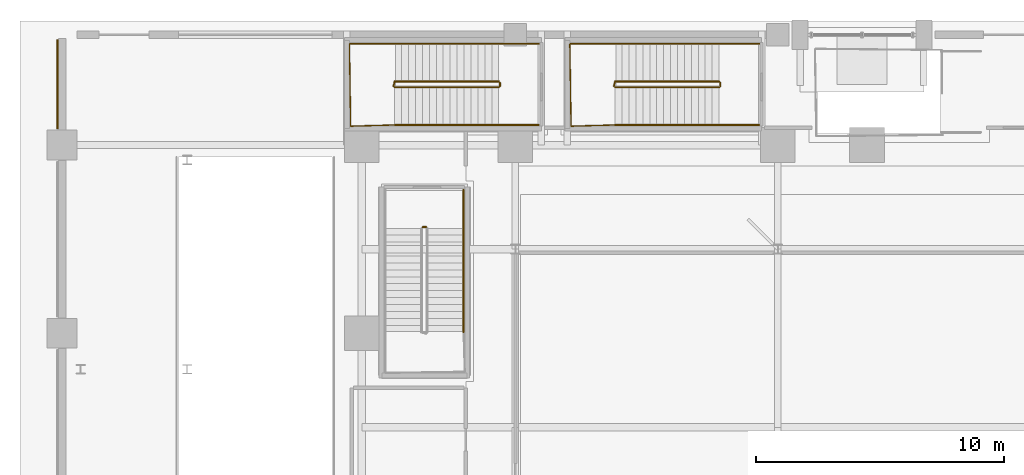
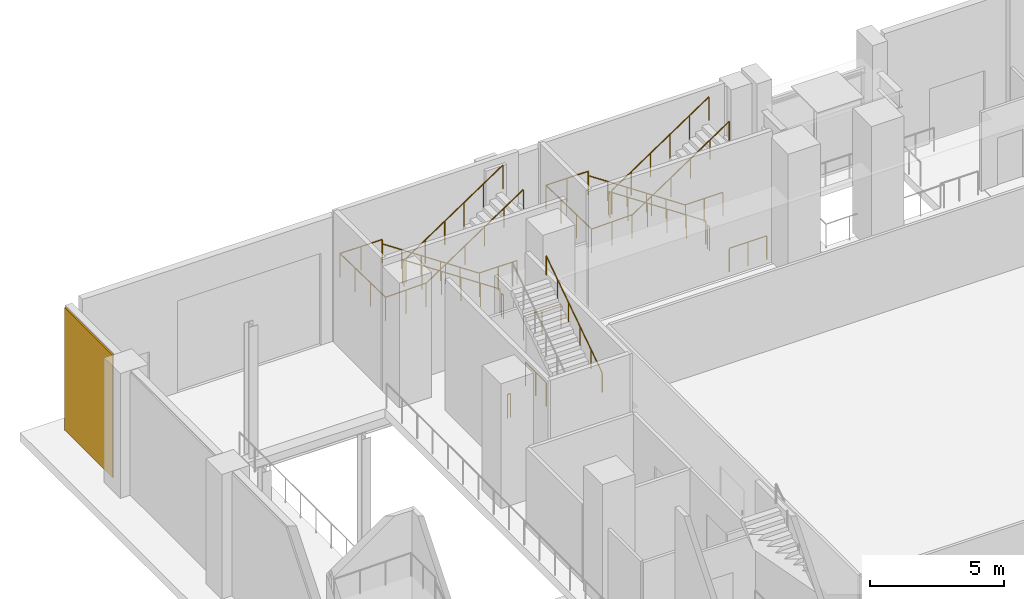
# One storey, part 31 of 36: 19 railings, 1 covering.
"""IFC4 building model written with IfcOpenShell, lengths in metres."""

from ifc_helpers import new_model, si_unit, direction, frame, origin, origin_2d, place, context, subcontext, project, spatial, rectangle, circle, extrude, material, layer, layer_set, type_object, element, save


model = new_model("IFC4")

# Units and contexts
model_context = context("Model", 3, precision=1e-05, world=origin(), true_north=direction((0.0, 1.0)))
body_context = subcontext(model_context, "Body", "Model", "MODEL_VIEW")
ifc_project = project(units=[si_unit("LENGTHUNIT", "METRE"), si_unit("AREAUNIT", "SQUARE_METRE"), si_unit("VOLUMEUNIT", "CUBIC_METRE"), si_unit("PLANEANGLEUNIT", "RADIAN"), si_unit("MASSUNIT", "GRAM", prefix="KILO")], contexts=[model_context])

# Site, building, storey
site_placement = place(None, origin())
site = spatial("IfcSite", under=ifc_project, at=site_placement, CompositionType="ELEMENT")
building_placement = place(site_placement, origin())
building = spatial("IfcBuilding", under=site, at=building_placement, Name="Ndaravel Arena Tower", CompositionType="ELEMENT")
storey_placement = place(building_placement, origin())
storey = spatial("IfcBuildingStorey", under=building, at=storey_placement, Name="L00", CompositionType="ELEMENT", Elevation=0.0)

# Covering
ifc_material_1 = material(Name="Masonry", Category="masonry")
ifc_layer_1 = layer(ifc_material_1, 0.06005859375)
ifc_layer_set_1 = layer_set([ifc_layer_1], Name="Masonry")
covering_type = type_object("IfcCoveringType", Name="COV-STONE-CLAD", PredefinedType="CLADDING", material=ifc_layer_set_1)
covering_placement = place(storey_placement, frame((1.52001953125, 45.449951171875, 0.050048828125), z_axis=(0.0, 0.0, 1.0), x_axis=(1.0, 0.0, 0.0)))
element("IfcCovering", 1, at=covering_placement, inside=storey, type_object=covering_type, Name="L00 Honed Mazeras Ashlar Panel W7", PredefinedType="CLADDING", context=body_context, shape_type="SweptSolid", body=[
    extrude(rectangle(XDim=0.06005859375, YDim=3.60009765625, at=origin_2d()), origin(), (0.0, 0.0, 1.0), 5.60009765625),
])

# Railings
ifc_material_2 = material(Name="Steel S355", Category="steel")
ifc_layer_2 = layer(ifc_material_2, 0.06005859375)
ifc_layer_set_2 = layer_set([ifc_layer_2], Name="Steel S355")
railing_type_1 = type_object("IfcRailingType", Name="RAIL-STAIR-GD1100", PredefinedType="GUARDRAIL", material=ifc_layer_set_2)
railing_1_placement = place(storey_placement, frame((19.330078125, 45.570068359375, 0.1875)))
element("IfcRailing", 2, at=railing_1_placement, inside=storey, type_object=railing_type_1, Name="L00 ST-A08 stair guard 1", PredefinedType="GUARDRAIL", context=body_context, shape_type="SweptSolid", body=[
    extrude(circle(Radius=0.02392578125, at=origin_2d()), frame((0.0, 0.0, 1.076171875), z_axis=(-0.830919138977, 0.0, 0.55639319234), x_axis=(0.0, -1.0, 0.0)), (0.0, 0.0, 1.0), 5.054931640625),
    extrude(circle(Radius=0.02392578125, at=origin_2d()), frame((-4.2001953125, 0.0, 3.888671875), z_axis=(-0.253331722487, -0.967379469692, 0.0), x_axis=(0.967379469692, -0.253331722487, 0.0)), (0.0, 0.0, 1.0), 0.196533203125),
    extrude(circle(Radius=0.02099609375, at=origin_2d()), origin(), (0.0, 0.0, 1.0), 1.052001953125),
    extrude(circle(Radius=0.02099609375, at=origin_2d()), frame((-0.840087890625, 0.0, 0.5625)), (0.0, 0.0, 1.0), 1.052001953125),
    extrude(circle(Radius=0.02099609375, at=origin_2d()), frame((-1.68017578125, 0.0, 1.125)), (0.0, 0.0, 1.0), 1.052001953125),
    extrude(circle(Radius=0.02099609375, at=origin_2d()), frame((-2.52001953125, 0.0, 1.6875)), (0.0, 0.0, 1.0), 1.052001953125),
    extrude(circle(Radius=0.02099609375, at=origin_2d()), frame((-3.360107421875, 0.0, 2.25)), (0.0, 0.0, 1.0), 1.052001953125),
    extrude(circle(Radius=0.02099609375, at=origin_2d()), frame((-4.2001953125, 0.0, 2.8125)), (0.0, 0.0, 1.0), 1.052001953125),
    extrude(circle(Radius=0.02099609375, at=origin_2d()), frame((-4.25, -0.190185546875, 2.8125)), (0.0, 0.0, 1.0), 1.052001953125),
])
railing_2_placement = place(storey_placement, frame((15.1298828125, 47.090087890625, 3.0)))
element("IfcRailing", 3, at=railing_2_placement, inside=storey, type_object=railing_type_1, Name="L00 ST-A08 stair guard 2", PredefinedType="GUARDRAIL", context=body_context, shape_type="SweptSolid", body=[
    extrude(circle(Radius=0.02392578125, at=origin_2d()), frame((0.0, 0.0, 1.076171875), z_axis=(-1.0, 0.0, 0.0), x_axis=(0.0, -1.0, 0.0)), (0.0, 0.0, 1.0), 1.829833984375),
    extrude(circle(Radius=0.02392578125, at=origin_2d()), frame((-1.829833984375, 0.0, 1.076171875), z_axis=(0.015027628384, -0.999887078817, 0.0), x_axis=(0.999887078817, 0.015027628384, 0.0)), (0.0, 0.0, 1.0), 3.33056640625),
    extrude(circle(Radius=0.02392578125, at=origin_2d()), frame((-1.77978515625, -3.330078125, 1.076171875), z_axis=(0.999604847084, 0.028109601324, 0.0), x_axis=(-0.028109601324, 0.999604847084, 0.0)), (0.0, 0.0, 1.0), 1.780517578125),
    extrude(circle(Radius=0.02099609375, at=origin_2d()), origin(), (0.0, 0.0, 1.0), 1.052001953125),
    extrude(circle(Radius=0.02099609375, at=origin_2d()), frame((-0.9150390625, 0.0, 0.0)), (0.0, 0.0, 1.0), 1.052001953125),
    extrude(circle(Radius=0.02099609375, at=origin_2d()), frame((-1.829833984375, 0.0, 0.0)), (0.0, 0.0, 1.0), 1.052001953125),
    extrude(circle(Radius=0.02099609375, at=origin_2d()), frame((-1.813232421875, -1.110107421875, 0.0)), (0.0, 0.0, 1.0), 1.052001953125),
    extrude(circle(Radius=0.02099609375, at=origin_2d()), frame((-1.79638671875, -2.219970703125, 0.0)), (0.0, 0.0, 1.0), 1.052001953125),
    extrude(circle(Radius=0.02099609375, at=origin_2d()), frame((-1.77978515625, -3.330078125, 0.0)), (0.0, 0.0, 1.0), 1.052001953125),
    extrude(circle(Radius=0.02099609375, at=origin_2d()), frame((-0.889892578125, -3.30517578125, 0.0)), (0.0, 0.0, 1.0), 1.052001953125),
    extrude(circle(Radius=0.02099609375, at=origin_2d()), frame((0.0, -3.280029296875, 0.0)), (0.0, 0.0, 1.0), 1.052001953125),
])
railing_3_placement = place(storey_placement, frame((15.1298828125, 45.330078125, 3.1875)))
element("IfcRailing", 4, at=railing_3_placement, inside=storey, type_object=railing_type_1, Name="L00 ST-A08 stair guard 3", PredefinedType="GUARDRAIL", context=body_context, shape_type="SweptSolid", body=[
    extrude(circle(Radius=0.02392578125, at=origin_2d()), frame((0.0, 0.0, 1.076171875), z_axis=(0.830919138977, 0.0, 0.55639319234), x_axis=(0.0, 1.0, 0.0)), (0.0, 0.0, 1.0), 5.054931640625),
    extrude(circle(Radius=0.02099609375, at=origin_2d()), origin(), (0.0, 0.0, 1.0), 1.052001953125),
    extrude(circle(Radius=0.02099609375, at=origin_2d()), frame((0.840087890625, 0.0, 0.5625)), (0.0, 0.0, 1.0), 1.052001953125),
    extrude(circle(Radius=0.02099609375, at=origin_2d()), frame((1.68017578125, 0.0, 1.125)), (0.0, 0.0, 1.0), 1.052001953125),
    extrude(circle(Radius=0.02099609375, at=origin_2d()), frame((2.52001953125, 0.0, 1.6875)), (0.0, 0.0, 1.0), 1.052001953125),
    extrude(circle(Radius=0.02099609375, at=origin_2d()), frame((3.360107421875, 0.0, 2.25)), (0.0, 0.0, 1.0), 1.052001953125),
    extrude(circle(Radius=0.02099609375, at=origin_2d()), frame((4.2001953125, 0.0, 2.8125)), (0.0, 0.0, 1.0), 1.052001953125),
])
railing_4_placement = place(storey_placement, frame((19.3798828125, 45.52001953125, 0.0)))
element("IfcRailing", 5, at=railing_4_placement, inside=storey, type_object=railing_type_1, Name="L00 ST-A08 stair guard 4", PredefinedType="GUARDRAIL", context=body_context, shape_type="SweptSolid", body=[
    extrude(circle(Radius=0.02392578125, at=origin_2d()), frame((0.0, 0.0, 1.076171875), z_axis=(0.0, -1.0, 0.0), x_axis=(1.0, 0.0, 0.0)), (0.0, 0.0, 1.0), 0.14013671875),
    extrude(circle(Radius=0.02099609375, at=origin_2d()), origin(), (0.0, 0.0, 1.0), 1.052001953125),
    extrude(circle(Radius=0.02099609375, at=origin_2d()), frame((0.0, -0.14013671875, 0.0)), (0.0, 0.0, 1.0), 1.052001953125),
])
for number, where, name in (
    (6, (20.949951171875, 47.090087890625, 0.0), "L00 ST-A08 stair guard 5"),
    (7, (20.949951171875, 43.81005859375, 0.0), "L00 ST-A08 stair guard 6"),
):
    element("IfcRailing", number, at=place(storey_placement, frame(where)), inside=storey, type_object=railing_type_1, Name=name, PredefinedType="GUARDRAIL", context=body_context, shape_type="SweptSolid", body=[
        extrude(circle(Radius=0.02392578125, at=origin_2d()), frame((0.0, 0.0, 1.076171875), z_axis=(-1.0, 0.0, 0.0), x_axis=(0.0, -1.0, 0.0)), (0.0, 0.0, 1.0), 1.619873046875),
        extrude(circle(Radius=0.02099609375, at=origin_2d()), origin(), (0.0, 0.0, 1.0), 1.052001953125),
        extrude(circle(Radius=0.02099609375, at=origin_2d()), frame((-0.81005859375, 0.0, 0.0)), (0.0, 0.0, 1.0), 1.052001953125),
        extrude(circle(Radius=0.02099609375, at=origin_2d()), frame((-1.619873046875, 0.0, 0.0)), (0.0, 0.0, 1.0), 1.052001953125),
    ])
railing_5_placement = place(storey_placement, frame((28.22998046875, 45.570068359375, 0.1875)))
element("IfcRailing", 8, at=railing_5_placement, inside=storey, type_object=railing_type_1, Name="L00 ST-A09 stair guard 1", PredefinedType="GUARDRAIL", context=body_context, shape_type="SweptSolid", body=[
    extrude(circle(Radius=0.02392578125, at=origin_2d()), frame((0.0, 0.0, 1.076171875), z_axis=(-0.830904186295, 0.0, 0.556415522067), x_axis=(0.0, -1.0, 0.0)), (0.0, 0.0, 1.0), 5.0546875),
    extrude(circle(Radius=0.02392578125, at=origin_2d()), frame((-4.199951171875, 0.0, 3.888671875), z_axis=(-0.25449329928, -0.967074537263, 0.0), x_axis=(0.967074537263, -0.25449329928, 0.0)), (0.0, 0.0, 1.0), 0.19677734375),
    extrude(circle(Radius=0.02099609375, at=origin_2d()), origin(), (0.0, 0.0, 1.0), 1.052001953125),
    extrude(circle(Radius=0.02099609375, at=origin_2d()), frame((-0.840087890625, 0.0, 0.5625)), (0.0, 0.0, 1.0), 1.052001953125),
    extrude(circle(Radius=0.02099609375, at=origin_2d()), frame((-1.679931640625, 0.0, 1.125)), (0.0, 0.0, 1.0), 1.052001953125),
    extrude(circle(Radius=0.02099609375, at=origin_2d()), frame((-2.52001953125, 0.0, 1.6875)), (0.0, 0.0, 1.0), 1.052001953125),
    extrude(circle(Radius=0.02099609375, at=origin_2d()), frame((-3.35986328125, 0.0, 2.25)), (0.0, 0.0, 1.0), 1.052001953125),
    extrude(circle(Radius=0.02099609375, at=origin_2d()), frame((-4.199951171875, 0.0, 2.8125)), (0.0, 0.0, 1.0), 1.052001953125),
    extrude(circle(Radius=0.02099609375, at=origin_2d()), frame((-4.25, -0.190185546875, 2.8125)), (0.0, 0.0, 1.0), 1.052001953125),
])
railing_6_placement = place(storey_placement, frame((24.030029296875, 47.090087890625, 3.0)))
element("IfcRailing", 9, at=railing_6_placement, inside=storey, type_object=railing_type_1, Name="L00 ST-A09 stair guard 2", PredefinedType="GUARDRAIL", context=body_context, shape_type="SweptSolid", body=[
    extrude(circle(Radius=0.02392578125, at=origin_2d()), frame((0.0, 0.0, 1.076171875), z_axis=(-1.0, 0.0, 0.0), x_axis=(0.0, -1.0, 0.0)), (0.0, 0.0, 1.0), 1.830078125),
    extrude(circle(Radius=0.02392578125, at=origin_2d()), frame((-1.830078125, 0.0, 1.076171875), z_axis=(0.015027628384, -0.999887078817, 0.0), x_axis=(0.999887078817, 0.015027628384, 0.0)), (0.0, 0.0, 1.0), 3.33056640625),
    extrude(circle(Radius=0.02392578125, at=origin_2d()), frame((-1.780029296875, -3.330078125, 1.076171875), z_axis=(0.999604955407, 0.028105748986, 0.0), x_axis=(-0.028105748986, 0.999604955407, 0.0)), (0.0, 0.0, 1.0), 1.78076171875),
    extrude(circle(Radius=0.02099609375, at=origin_2d()), origin(), (0.0, 0.0, 1.0), 1.052001953125),
    extrude(circle(Radius=0.02099609375, at=origin_2d()), frame((-0.9150390625, 0.0, 0.0)), (0.0, 0.0, 1.0), 1.052001953125),
    extrude(circle(Radius=0.02099609375, at=origin_2d()), frame((-1.830078125, 0.0, 0.0)), (0.0, 0.0, 1.0), 1.052001953125),
    extrude(circle(Radius=0.02099609375, at=origin_2d()), frame((-1.8134765625, -1.110107421875, 0.0)), (0.0, 0.0, 1.0), 1.052001953125),
    extrude(circle(Radius=0.02099609375, at=origin_2d()), frame((-1.796630859375, -2.219970703125, 0.0)), (0.0, 0.0, 1.0), 1.052001953125),
    extrude(circle(Radius=0.02099609375, at=origin_2d()), frame((-1.780029296875, -3.330078125, 0.0)), (0.0, 0.0, 1.0), 1.052001953125),
    extrude(circle(Radius=0.02099609375, at=origin_2d()), frame((-0.89013671875, -3.30517578125, 0.0)), (0.0, 0.0, 1.0), 1.052001953125),
    extrude(circle(Radius=0.02099609375, at=origin_2d()), frame((0.0, -3.280029296875, 0.0)), (0.0, 0.0, 1.0), 1.052001953125),
])
railing_7_placement = place(storey_placement, frame((24.030029296875, 45.330078125, 3.1875)))
element("IfcRailing", 10, at=railing_7_placement, inside=storey, type_object=railing_type_1, Name="L00 ST-A09 stair guard 3", PredefinedType="GUARDRAIL", context=body_context, shape_type="SweptSolid", body=[
    extrude(circle(Radius=0.02392578125, at=origin_2d()), frame((0.0, 0.0, 1.076171875), z_axis=(0.830904186295, 0.0, 0.556415522067), x_axis=(0.0, 1.0, 0.0)), (0.0, 0.0, 1.0), 5.0546875),
    extrude(circle(Radius=0.02099609375, at=origin_2d()), origin(), (0.0, 0.0, 1.0), 1.052001953125),
    extrude(circle(Radius=0.02099609375, at=origin_2d()), frame((0.840087890625, 0.0, 0.5625)), (0.0, 0.0, 1.0), 1.052001953125),
    extrude(circle(Radius=0.02099609375, at=origin_2d()), frame((1.679931640625, 0.0, 1.125)), (0.0, 0.0, 1.0), 1.052001953125),
    extrude(circle(Radius=0.02099609375, at=origin_2d()), frame((2.52001953125, 0.0, 1.6875)), (0.0, 0.0, 1.0), 1.052001953125),
    extrude(circle(Radius=0.02099609375, at=origin_2d()), frame((3.35986328125, 0.0, 2.25)), (0.0, 0.0, 1.0), 1.052001953125),
    extrude(circle(Radius=0.02099609375, at=origin_2d()), frame((4.199951171875, 0.0, 2.8125)), (0.0, 0.0, 1.0), 1.052001953125),
])
railing_8_placement = place(storey_placement, frame((28.280029296875, 45.52001953125, 0.0)))
element("IfcRailing", 11, at=railing_8_placement, inside=storey, type_object=railing_type_1, Name="L00 ST-A09 stair guard 4", PredefinedType="GUARDRAIL", context=body_context, shape_type="SweptSolid", body=[
    extrude(circle(Radius=0.02392578125, at=origin_2d()), frame((0.0, 0.0, 1.076171875), z_axis=(0.0, -1.0, 0.0), x_axis=(1.0, 0.0, 0.0)), (0.0, 0.0, 1.0), 0.14013671875),
    extrude(circle(Radius=0.02099609375, at=origin_2d()), origin(), (0.0, 0.0, 1.0), 1.052001953125),
    extrude(circle(Radius=0.02099609375, at=origin_2d()), frame((0.0, -0.14013671875, 0.0)), (0.0, 0.0, 1.0), 1.052001953125),
])
for number, where, name in (
    (12, (29.85009765625, 47.090087890625, 0.0), "L00 ST-A09 stair guard 5"),
    (13, (29.85009765625, 43.81005859375, 0.0), "L00 ST-A09 stair guard 6"),
):
    element("IfcRailing", number, at=place(storey_placement, frame(where)), inside=storey, type_object=railing_type_1, Name=name, PredefinedType="GUARDRAIL", context=body_context, shape_type="SweptSolid", body=[
        extrude(circle(Radius=0.02392578125, at=origin_2d()), frame((0.0, 0.0, 1.076171875), z_axis=(-1.0, 0.0, 0.0), x_axis=(0.0, -1.0, 0.0)), (0.0, 0.0, 1.0), 1.6201171875),
        extrude(circle(Radius=0.02099609375, at=origin_2d()), origin(), (0.0, 0.0, 1.0), 1.052001953125),
        extrude(circle(Radius=0.02099609375, at=origin_2d()), frame((-0.81005859375, 0.0, 0.0)), (0.0, 0.0, 1.0), 1.052001953125),
        extrude(circle(Radius=0.02099609375, at=origin_2d()), frame((-1.6201171875, 0.0, 0.0)), (0.0, 0.0, 1.0), 1.052001953125),
    ])
railing_9_placement = place(storey_placement, frame((16.260009765625, 39.68994140625, 0.0)))
element("IfcRailing", 14, at=railing_9_placement, inside=storey, type_object=railing_type_1, Name="L00 ST-VOM-2 stair guard 4", PredefinedType="GUARDRAIL", context=body_context, shape_type="SweptSolid", body=[
    extrude(circle(Radius=0.02392578125, at=origin_2d()), frame((0.0, 0.0, 1.076171875), z_axis=(1.0, 0.0, 0.0), x_axis=(0.0, 1.0, 0.0)), (0.0, 0.0, 1.0), 0.139892578125),
    extrude(circle(Radius=0.02099609375, at=origin_2d()), origin(), (0.0, 0.0, 1.0), 1.052001953125),
    extrude(circle(Radius=0.02099609375, at=origin_2d()), frame((0.139892578125, 0.0, 0.0)), (0.0, 0.0, 1.0), 1.052001953125),
])
railing_10_placement = place(storey_placement, frame((17.909912109375, 41.199951171875, 0.0)))
element("IfcRailing", 15, at=railing_10_placement, inside=storey, type_object=railing_type_1, Name="L00 ST-VOM-2 stair guard 6", PredefinedType="GUARDRAIL", context=body_context, shape_type="SweptSolid", body=[
    extrude(circle(Radius=0.02392578125, at=origin_2d()), frame((0.0, 0.0, 1.076171875), z_axis=(0.0, -1.0, 0.0), x_axis=(1.0, 0.0, 0.0)), (0.0, 0.0, 1.0), 1.56005859375),
    extrude(circle(Radius=0.02099609375, at=origin_2d()), origin(), (0.0, 0.0, 1.0), 1.052001953125),
    extrude(circle(Radius=0.02099609375, at=origin_2d()), frame((0.0, -0.780029296875, 0.0)), (0.0, 0.0, 1.0), 1.052001953125),
    extrude(circle(Radius=0.02099609375, at=origin_2d()), frame((0.0, -1.56005859375, 0.0)), (0.0, 0.0, 1.0), 1.052001953125),
])
ifc_material_3 = material(Name="Steel S355", Category="steel")
ifc_layer_3 = layer(ifc_material_3, 0.050048828125)
ifc_layer_set_3 = layer_set([ifc_layer_3], Name="Steel S355")
railing_type_2 = type_object("IfcRailingType", Name="RAIL-STAIR-HR920", PredefinedType="HANDRAIL", material=ifc_layer_set_3)
railing_11_placement = place(storey_placement, frame((19.330078125, 47.090087890625, 0.1875)))
element("IfcRailing", 16, at=railing_11_placement, inside=storey, type_object=railing_type_2, Name="L00 ST-A08 stair handrail 1", PredefinedType="HANDRAIL", context=body_context, shape_type="SweptSolid", body=[
    extrude(circle(Radius=0.02392578125, at=origin_2d()), frame((0.0, 0.0, 0.8759765625), z_axis=(-0.830919138977, 0.0, 0.55639319234), x_axis=(0.0, -1.0, 0.0)), (0.0, 0.0, 1.0), 5.054931640625),
    extrude(circle(Radius=0.02099609375, at=origin_2d()), origin(), (0.0, 0.0, 1.0), 0.851806640625),
    extrude(circle(Radius=0.02099609375, at=origin_2d()), frame((-0.840087890625, 0.0, 0.5625)), (0.0, 0.0, 1.0), 0.851806640625),
    extrude(circle(Radius=0.02099609375, at=origin_2d()), frame((-1.68017578125, 0.0, 1.125)), (0.0, 0.0, 1.0), 0.851806640625),
    extrude(circle(Radius=0.02099609375, at=origin_2d()), frame((-2.52001953125, 0.0, 1.6875)), (0.0, 0.0, 1.0), 0.851806640625),
    extrude(circle(Radius=0.02099609375, at=origin_2d()), frame((-3.360107421875, 0.0, 2.25)), (0.0, 0.0, 1.0), 0.851806640625),
    extrude(circle(Radius=0.02099609375, at=origin_2d()), frame((-4.2001953125, 0.0, 2.8125)), (0.0, 0.0, 1.0), 0.851806640625),
])
railing_12_placement = place(storey_placement, frame((15.1298828125, 43.81005859375, 3.1875)))
element("IfcRailing", 17, at=railing_12_placement, inside=storey, type_object=railing_type_2, Name="L00 ST-A08 stair handrail 2", PredefinedType="HANDRAIL", context=body_context, shape_type="SweptSolid", body=[
    extrude(circle(Radius=0.02392578125, at=origin_2d()), frame((0.0, 0.0, 0.8759765625), z_axis=(0.830919138977, 0.0, 0.55639319234), x_axis=(0.0, 1.0, 0.0)), (0.0, 0.0, 1.0), 5.054931640625),
    extrude(circle(Radius=0.02099609375, at=origin_2d()), origin(), (0.0, 0.0, 1.0), 0.851806640625),
    extrude(circle(Radius=0.02099609375, at=origin_2d()), frame((0.840087890625, 0.0, 0.5625)), (0.0, 0.0, 1.0), 0.851806640625),
    extrude(circle(Radius=0.02099609375, at=origin_2d()), frame((1.68017578125, 0.0, 1.125)), (0.0, 0.0, 1.0), 0.851806640625),
    extrude(circle(Radius=0.02099609375, at=origin_2d()), frame((2.52001953125, 0.0, 1.6875)), (0.0, 0.0, 1.0), 0.851806640625),
    extrude(circle(Radius=0.02099609375, at=origin_2d()), frame((3.360107421875, 0.0, 2.25)), (0.0, 0.0, 1.0), 0.851806640625),
    extrude(circle(Radius=0.02099609375, at=origin_2d()), frame((4.2001953125, 0.0, 2.8125)), (0.0, 0.0, 1.0), 0.851806640625),
])
railing_13_placement = place(storey_placement, frame((28.22998046875, 47.090087890625, 0.1875)))
element("IfcRailing", 18, at=railing_13_placement, inside=storey, type_object=railing_type_2, Name="L00 ST-A09 stair handrail 1", PredefinedType="HANDRAIL", context=body_context, shape_type="SweptSolid", body=[
    extrude(circle(Radius=0.02392578125, at=origin_2d()), frame((0.0, 0.0, 0.8759765625), z_axis=(-0.830904186295, 0.0, 0.556415522067), x_axis=(0.0, -1.0, 0.0)), (0.0, 0.0, 1.0), 5.0546875),
    extrude(circle(Radius=0.02099609375, at=origin_2d()), origin(), (0.0, 0.0, 1.0), 0.851806640625),
    extrude(circle(Radius=0.02099609375, at=origin_2d()), frame((-0.840087890625, 0.0, 0.5625)), (0.0, 0.0, 1.0), 0.851806640625),
    extrude(circle(Radius=0.02099609375, at=origin_2d()), frame((-1.679931640625, 0.0, 1.125)), (0.0, 0.0, 1.0), 0.851806640625),
    extrude(circle(Radius=0.02099609375, at=origin_2d()), frame((-2.52001953125, 0.0, 1.6875)), (0.0, 0.0, 1.0), 0.851806640625),
    extrude(circle(Radius=0.02099609375, at=origin_2d()), frame((-3.35986328125, 0.0, 2.25)), (0.0, 0.0, 1.0), 0.851806640625),
    extrude(circle(Radius=0.02099609375, at=origin_2d()), frame((-4.199951171875, 0.0, 2.8125)), (0.0, 0.0, 1.0), 0.851806640625),
])
railing_14_placement = place(storey_placement, frame((24.030029296875, 43.81005859375, 3.1875)))
element("IfcRailing", 19, at=railing_14_placement, inside=storey, type_object=railing_type_2, Name="L00 ST-A09 stair handrail 2", PredefinedType="HANDRAIL", context=body_context, shape_type="SweptSolid", body=[
    extrude(circle(Radius=0.02392578125, at=origin_2d()), frame((0.0, 0.0, 0.8759765625), z_axis=(0.830904186295, 0.0, 0.556415522067), x_axis=(0.0, 1.0, 0.0)), (0.0, 0.0, 1.0), 5.0546875),
    extrude(circle(Radius=0.02099609375, at=origin_2d()), origin(), (0.0, 0.0, 1.0), 0.851806640625),
    extrude(circle(Radius=0.02099609375, at=origin_2d()), frame((0.840087890625, 0.0, 0.5625)), (0.0, 0.0, 1.0), 0.851806640625),
    extrude(circle(Radius=0.02099609375, at=origin_2d()), frame((1.679931640625, 0.0, 1.125)), (0.0, 0.0, 1.0), 0.851806640625),
    extrude(circle(Radius=0.02099609375, at=origin_2d()), frame((2.52001953125, 0.0, 1.6875)), (0.0, 0.0, 1.0), 0.851806640625),
    extrude(circle(Radius=0.02099609375, at=origin_2d()), frame((3.35986328125, 0.0, 2.25)), (0.0, 0.0, 1.0), 0.851806640625),
    extrude(circle(Radius=0.02099609375, at=origin_2d()), frame((4.199951171875, 0.0, 2.8125)), (0.0, 0.0, 1.0), 0.851806640625),
])
railing_15_placement = place(storey_placement, frame((17.909912109375, 35.43994140625, 3.1875)))
element("IfcRailing", 20, at=railing_15_placement, inside=storey, type_object=railing_type_2, Name="L00 ST-VOM-2 stair handrail 2", PredefinedType="HANDRAIL", context=body_context, shape_type="SweptSolid", body=[
    extrude(circle(Radius=0.02392578125, at=origin_2d()), frame((0.0, 0.0, 0.8759765625), z_axis=(0.0, 0.830904186295, 0.556415522067), x_axis=(-1.0, 0.0, 0.0)), (0.0, 0.0, 1.0), 5.0546875),
    extrude(circle(Radius=0.02099609375, at=origin_2d()), origin(), (0.0, 0.0, 1.0), 0.851806640625),
    extrude(circle(Radius=0.02099609375, at=origin_2d()), frame((0.0, 0.840087890625, 0.5625)), (0.0, 0.0, 1.0), 0.851806640625),
    extrude(circle(Radius=0.02099609375, at=origin_2d()), frame((0.0, 1.679931640625, 1.125)), (0.0, 0.0, 1.0), 0.851806640625),
    extrude(circle(Radius=0.02099609375, at=origin_2d()), frame((0.0, 2.52001953125, 1.6875)), (0.0, 0.0, 1.0), 0.851806640625),
    extrude(circle(Radius=0.02099609375, at=origin_2d()), frame((0.0, 3.35986328125, 2.25)), (0.0, 0.0, 1.0), 0.851806640625),
    extrude(circle(Radius=0.02099609375, at=origin_2d()), frame((0.0, 4.199951171875, 2.8125)), (0.0, 0.0, 1.0), 0.851806640625),
])

save(model, "model.ifc")
